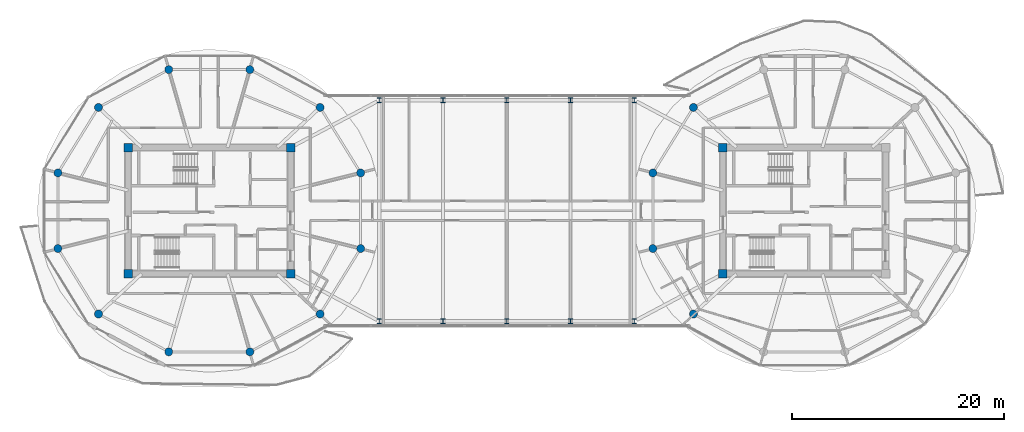
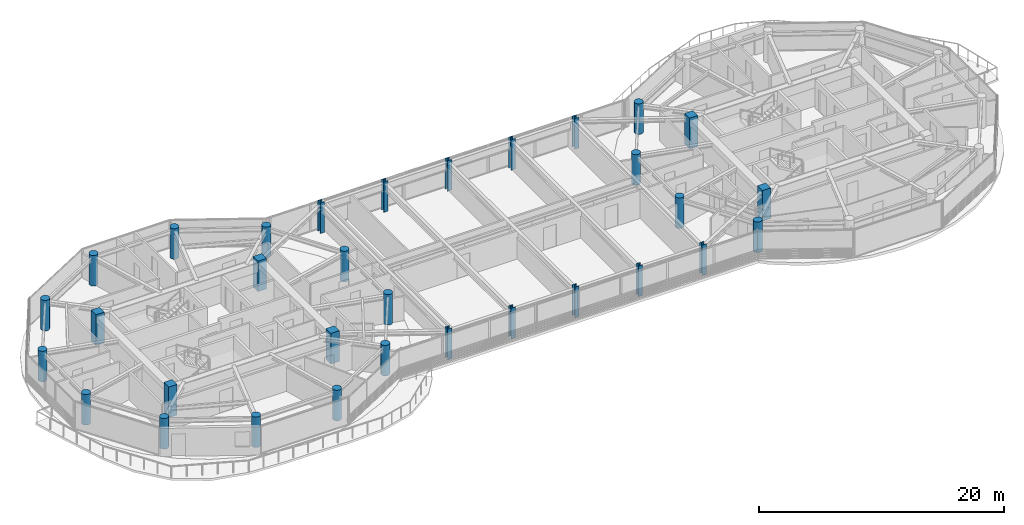
# One storey, part 1 of 23: 32 columns.
"""IFC4 building model written with IfcOpenShell, lengths in metres."""

from ifc_helpers import new_model, si_unit, direction, frame, origin, origin_2d, place, context, subcontext, project, spatial, rectangle, circle, i_section, extrude, source, transform, mapped, material, material_profile, profile_set, type_object, type_shapes, element, save


model = new_model("IFC4")

# Units and contexts
model_context = context("Model", 3, precision=1e-05, world=origin(), true_north=direction((0.0, 1.0)))
body_context = subcontext(model_context, "Body", "Model", "MODEL_VIEW")
ifc_project = project(units=[si_unit("LENGTHUNIT", "METRE"), si_unit("AREAUNIT", "SQUARE_METRE"), si_unit("VOLUMEUNIT", "CUBIC_METRE"), si_unit("PLANEANGLEUNIT", "RADIAN"), si_unit("MASSUNIT", "GRAM", prefix="KILO")], contexts=[model_context])

# Site, building, storey
site_placement = place(None, origin())
site = spatial("IfcSite", under=ifc_project, at=site_placement, CompositionType="ELEMENT")
building_placement = place(site_placement, origin())
building = spatial("IfcBuilding", under=site, at=building_placement, Name="Norrkilde Senior Care Towers", CompositionType="ELEMENT")
storey_placement = place(building_placement, frame((0.0, 0.0, 229.14990234375)))
storey = spatial("IfcBuildingStorey", under=building, at=storey_placement, Name="L71", CompositionType="ELEMENT", Elevation=229.14990234375)

# Columns
ifc_material_1 = material(Name="Concrete C60/75", Category="concrete")
ifc_material_profile_1 = material_profile(ifc_material_1, rectangle(XDim=0.800048828125, YDim=0.800048828125, at=origin_2d()), Name="RC COL 800x800")
ifc_profile_set_1 = profile_set([ifc_material_profile_1], Name="Concrete C60/75")
column_type_1 = type_object("IfcColumnType", Name="Column Core Corner Z3-Z4 800", PredefinedType="COLUMN", material=ifc_profile_set_1)
shared_shape_1 = source(origin(), body_context, "Body", "SweptSolid", [
    extrude(rectangle(XDim=0.800048828125, YDim=0.800048828125, at=origin_2d()), origin(), (0.0, 0.0, 1.0), 3.050048828125),
])
type_shapes(column_type_1, [shared_shape_1])
for number, where, z_axis, x_axis, name in (
    (1, (-35.64990234375, -5.949951171875, 0.0), (0.0, 0.0, 1.0), (1.0, 0.0, 0.0), "L71 Core W Corner Column 1"),
    (2, (-20.35009765625, -5.949951171875, 0.0), (0.0, 0.0, 1.0), (1.0, 0.0, 0.0), "L71 Core W Corner Column 2"),
    (3, (-20.35009765625, 5.949951171875, 0.0), (0.0, 0.0, 1.0), (1.0, 0.0, 0.0), "L71 Core W Corner Column 3"),
    (4, (-35.64990234375, 5.949951171875, 0.0), (0.0, 0.0, 1.0), (1.0, 0.0, 0.0), "L71 Core W Corner Column 4"),
    (5, (20.35009765625, -5.949951171875, 0.0), (0.0, 0.0, 1.0), (1.0, 0.0, 0.0), "L71 Core E Corner Column 1"),
    (6, (20.35009765625, 5.949951171875, 0.0), (0.0, 0.0, 1.0), (1.0, 0.0, 0.0), "L71 Core E Corner Column 4"),
):
    element("IfcColumn", number, at=place(storey_placement, frame(where, z_axis=z_axis, x_axis=x_axis)), inside=storey, type_object=column_type_1, Name=name, PredefinedType="COLUMN", context=body_context, shape_type="MappedRepresentation", body=[
        mapped(shared_shape_1, transform((0.0, 0.0, 0.0), x_axis=(1.0, 0.0, 0.0), y_axis=(0.0, 1.0, 0.0), z_axis=(0.0, 0.0, 1.0), scale=1.0)),
    ])
ifc_material_2 = material(Name="Concrete C50/60", Category="concrete")
ifc_material_profile_2 = material_profile(ifc_material_2, circle(Radius=0.375, at=origin_2d()), Name="RC CIR 750")
ifc_profile_set_2 = profile_set([ifc_material_profile_2], Name="Concrete C50/60")
column_type_2 = type_object("IfcColumnType", Name="Column Perimeter Z4 750", PredefinedType="COLUMN", material=ifc_profile_set_2)
shared_shape_2 = source(origin(), body_context, "Body", "SweptSolid", [
    extrude(circle(Radius=0.375, at=origin_2d()), origin(), (0.0, 0.0, 1.0), 3.050048828125),
])
type_shapes(column_type_2, [shared_shape_2])
for number, where, z_axis, x_axis, name in (
    (7, (-13.752685546875, 3.558837890625, 0.0), (0.0, 0.0, 1.0), (1.0, 0.0, 0.0), "L71 Drum W Perimeter Column 01"),
    (8, (-17.570068359375, 9.72265625, 0.0), (0.0, 0.0, 1.0), (1.0, 0.0, 0.0), "L71 Drum W Perimeter Column 02"),
    (9, (-24.182373046875, 13.281494140625, 0.0), (0.0, 0.0, 1.0), (1.0, 0.0, 0.0), "L71 Drum W Perimeter Column 03"),
    (10, (-31.817626953125, 13.281494140625, 0.0), (0.0, 0.0, 1.0), (1.0, 0.0, 0.0), "L71 Drum W Perimeter Column 04"),
    (11, (-38.429931640625, 9.72265625, 0.0), (0.0, 0.0, 1.0), (1.0, 0.0, 0.0), "L71 Drum W Perimeter Column 05"),
    (12, (-42.247314453125, 3.558837890625, 0.0), (0.0, 0.0, 1.0), (1.0, 0.0, 0.0), "L71 Drum W Perimeter Column 06"),
    (13, (-42.247314453125, -3.558837890625, 0.0), (0.0, 0.0, 1.0), (1.0, 0.0, 0.0), "L71 Drum W Perimeter Column 07"),
    (14, (-38.429931640625, -9.72265625, 0.0), (0.0, 0.0, 1.0), (1.0, 0.0, 0.0), "L71 Drum W Perimeter Column 08"),
    (15, (-31.817626953125, -13.281494140625, 0.0), (0.0, 0.0, 1.0), (1.0, 0.0, 0.0), "L71 Drum W Perimeter Column 09"),
    (16, (-24.182373046875, -13.281494140625, 0.0), (0.0, 0.0, 1.0), (1.0, 0.0, 0.0), "L71 Drum W Perimeter Column 10"),
    (17, (-17.570068359375, -9.72265625, 0.0), (0.0, 0.0, 1.0), (1.0, 0.0, 0.0), "L71 Drum W Perimeter Column 11"),
    (18, (-13.752685546875, -3.558837890625, 0.0), (0.0, 0.0, 1.0), (1.0, 0.0, 0.0), "L71 Drum W Perimeter Column 12"),
    (19, (17.570068359375, 9.72265625, 0.0), (0.0, 0.0, 1.0), (1.0, 0.0, 0.0), "L71 Drum E Perimeter Column 05"),
    (20, (13.752685546875, 3.558837890625, 0.0), (0.0, 0.0, 1.0), (1.0, 0.0, 0.0), "L71 Drum E Perimeter Column 06"),
    (21, (13.752685546875, -3.558837890625, 0.0), (0.0, 0.0, 1.0), (1.0, 0.0, 0.0), "L71 Drum E Perimeter Column 07"),
    (22, (17.570068359375, -9.72265625, 0.0), (0.0, 0.0, 1.0), (1.0, 0.0, 0.0), "L71 Drum E Perimeter Column 08"),
):
    element("IfcColumn", number, at=place(storey_placement, frame(where, z_axis=z_axis, x_axis=x_axis)), inside=storey, type_object=column_type_2, Name=name, PredefinedType="COLUMN", context=body_context, shape_type="MappedRepresentation", body=[
        mapped(shared_shape_2, transform((0.0, 0.0, 0.0), x_axis=(1.0, 0.0, 0.0), y_axis=(0.0, 1.0, 0.0), z_axis=(0.0, 0.0, 1.0), scale=1.0)),
    ])
ifc_material_3 = material(Name="Steel S355", Category="steel")
ifc_material_profile_3 = material_profile(ifc_material_3, i_section(OverallWidth=0.406982421875, OverallDepth=0.43505859375, WebThickness=0.02392578125, FlangeThickness=0.0390625, FilletRadius=0.014892578125, at=origin_2d()), Name="HD 400x421")
ifc_profile_set_3 = profile_set([ifc_material_profile_3], Name="Steel S355")
column_type_3 = type_object("IfcColumnType", Name="Column Bridge Frame HD400", PredefinedType="COLUMN", material=ifc_profile_set_3)
shared_shape_3 = source(origin(), body_context, "Body", "SweptSolid", [
    extrude(i_section(OverallWidth=0.406982421875, OverallDepth=0.43505859375, WebThickness=0.02392578125, FlangeThickness=0.0390625, FilletRadius=0.014892578125, at=origin_2d()), origin(), (0.0, 0.0, 1.0), 3.050048828125),
])
type_shapes(column_type_3, [shared_shape_3])
for number, where, z_axis, x_axis, name in (
    (23, (-12.0, -10.39990234375, 0.0), (0.0, 0.0, 1.0), (1.0, 0.0, 0.0), "L71 Sky-Gate Bridge Column -12.1"),
    (24, (-12.0, 10.39990234375, 0.0), (0.0, 0.0, 1.0), (1.0, 0.0, 0.0), "L71 Sky-Gate Bridge Column -12.2"),
    (25, (-6.0, -10.39990234375, 0.0), (0.0, 0.0, 1.0), (1.0, 0.0, 0.0), "L71 Sky-Gate Bridge Column -6.1"),
    (26, (-6.0, 10.39990234375, 0.0), (0.0, 0.0, 1.0), (1.0, 0.0, 0.0), "L71 Sky-Gate Bridge Column -6.2"),
    (27, (0.0, -10.39990234375, 0.0), (0.0, 0.0, 1.0), (1.0, 0.0, 0.0), "L71 Sky-Gate Bridge Column +0.1"),
    (28, (0.0, 10.39990234375, 0.0), (0.0, 0.0, 1.0), (1.0, 0.0, 0.0), "L71 Sky-Gate Bridge Column +0.2"),
    (29, (6.0, -10.39990234375, 0.0), (0.0, 0.0, 1.0), (1.0, 0.0, 0.0), "L71 Sky-Gate Bridge Column +6.1"),
    (30, (6.0, 10.39990234375, 0.0), (0.0, 0.0, 1.0), (1.0, 0.0, 0.0), "L71 Sky-Gate Bridge Column +6.2"),
    (31, (12.0, -10.39990234375, 0.0), (0.0, 0.0, 1.0), (1.0, 0.0, 0.0), "L71 Sky-Gate Bridge Column +12.1"),
    (32, (12.0, 10.39990234375, 0.0), (0.0, 0.0, 1.0), (1.0, 0.0, 0.0), "L71 Sky-Gate Bridge Column +12.2"),
):
    element("IfcColumn", number, at=place(storey_placement, frame(where, z_axis=z_axis, x_axis=x_axis)), inside=storey, type_object=column_type_3, Name=name, PredefinedType="COLUMN", context=body_context, shape_type="MappedRepresentation", body=[
        mapped(shared_shape_3, transform((0.0, 0.0, 0.0), x_axis=(1.0, 0.0, 0.0), y_axis=(0.0, 1.0, 0.0), z_axis=(0.0, 0.0, 1.0), scale=1.0)),
    ])

save(model, "model.ifc")
